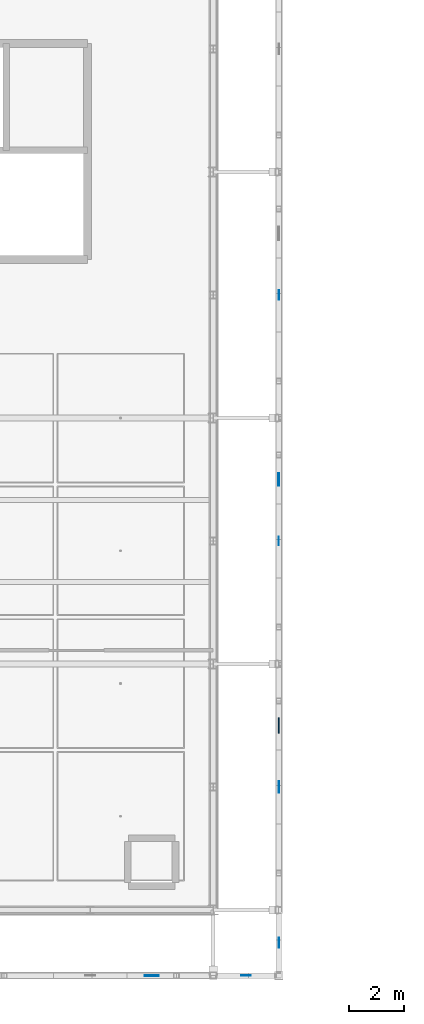
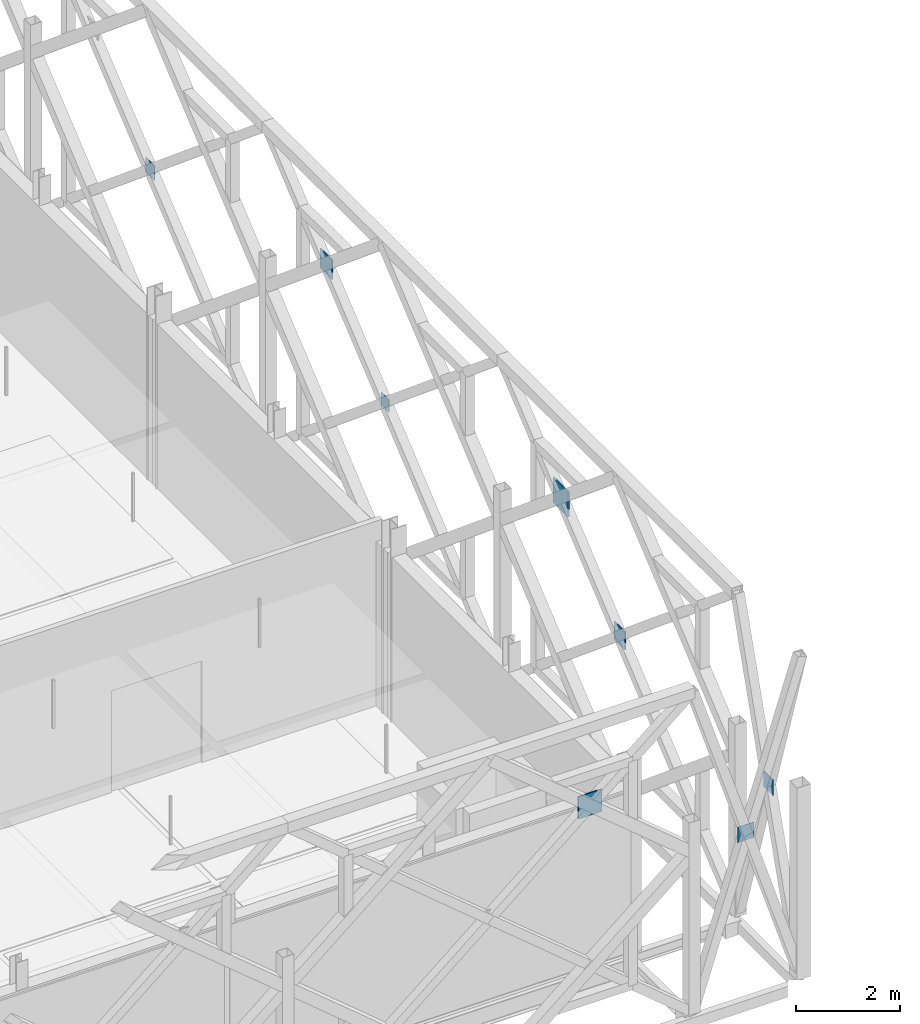
# One storey, part 39 of 66: 8 plates.
"""IFC4 building model written with IfcOpenShell, lengths in metres."""

import ifcopenshell
import ifcopenshell.guid

model = None  # the IFC model being written
_history = None  # IfcOwnerHistory: only IFC2X3 demands one
_inside = {}  # id of a spatial element -> (the spatial element, [elements in it])
_under = {}  # id of a project, library or spatial element -> (it, [spatial elements below it])
_declared = {}  # id of a project -> (the project, [libraries it declares])
_typed = {}  # id of a type object -> (the type object, [elements of that type])
_made_of = {}  # id of a material, layer set ... -> (it, [elements and type objects made of it])


def new_model(schema):
    """Start an empty IFC model of exactly this schema.

    Asked for "IFC4X3", IfcOpenShell would pick the latest addendum, in which some entities
    have other attributes; the version numbers below select the first issue.
    IFC2X3 requires an IfcOwnerHistory on every rooted entity: one is made here for all.
    """
    global model, _history
    if schema == "IFC4X3":
        model = ifcopenshell.file(schema_version=(4, 3, 0, 0))
    else:
        model = ifcopenshell.file(schema=schema)
    _inside.clear()
    _under.clear()
    _declared.clear()
    _typed.clear()
    _made_of.clear()
    _history = None
    if model.schema == "IFC2X3":
        org = make("IfcOrganization", Name="unknown")
        user = make(
            "IfcPersonAndOrganization",
            ThePerson=make("IfcPerson", FamilyName="unknown"),
            TheOrganization=org,
        )
        app = make(
            "IfcApplication",
            ApplicationDeveloper=org,
            Version="unknown",
            ApplicationFullName="unknown",
            ApplicationIdentifier="unknown",
        )
        _history = make(
            "IfcOwnerHistory",
            OwningUser=user,
            OwningApplication=app,
            ChangeAction="ADDED",
            CreationDate=0,
        )
    return model


def make(cls, **values):
    """One entity of the class cls with the attributes given. An attribute that is None is left unset."""
    return model.create_entity(
        cls, **{name: value for name, value in values.items() if value is not None}
    )


def rooted(cls, **values):
    """An entity with a GlobalId (a new one), such as an element, a storey or a relation."""
    return make(cls, GlobalId=ifcopenshell.guid.new(), OwnerHistory=_history, **values)


def si_unit(unit_type, name, prefix=None):
    """IfcSIUnit, for example si_unit("LENGTHUNIT", "METRE", prefix="MILLI")."""
    return make("IfcSIUnit", UnitType=unit_type, Prefix=prefix, Name=name)


def assignment(units):
    """IfcUnitAssignment: the units of a project."""
    return None if units is None else make("IfcUnitAssignment", Units=units)


def point(xyz):
    """IfcCartesianPoint."""
    return None if xyz is None else make("IfcCartesianPoint", Coordinates=xyz)


def direction(xyz):
    """IfcDirection."""
    return None if xyz is None else make("IfcDirection", DirectionRatios=xyz)


def frame(location, z_axis=None, x_axis=None):
    """IfcAxis2Placement3D, a coordinate frame: its origin and axes. An axis left out is left unset."""
    return make(
        "IfcAxis2Placement3D",
        Location=point(location),
        Axis=direction(z_axis),
        RefDirection=direction(x_axis),
    )


def frame_2d(location, x_axis=None):
    """IfcAxis2Placement2D, a coordinate frame in the plane: its origin and x axis."""
    return make(
        "IfcAxis2Placement2D", Location=point(location), RefDirection=direction(x_axis)
    )


def origin():
    """The frame at (0, 0, 0) with its axes left unset."""
    return frame((0.0, 0.0, 0.0))


def origin_2d():
    """The frame at (0, 0) in the plane with its x axis left unset."""
    return frame_2d((0.0, 0.0))


def place(relative_to, where):
    """IfcLocalPlacement: puts the frame where relative to a parent placement (None: the world)."""
    return make(
        "IfcLocalPlacement", PlacementRelTo=relative_to, RelativePlacement=where
    )


def context(
    kind, dimensions, precision=None, world=None, true_north=None, identifier=None
):
    """IfcGeometricRepresentationContext, for example the 3D "Model" context."""
    return make(
        "IfcGeometricRepresentationContext",
        ContextIdentifier=identifier,
        ContextType=kind,
        CoordinateSpaceDimension=dimensions,
        Precision=precision,
        WorldCoordinateSystem=world,
        TrueNorth=true_north,
    )


def subcontext(parent, identifier, kind, view, scale=None):
    """IfcGeometricRepresentationSubContext, for example "Body" below "Model"."""
    return make(
        "IfcGeometricRepresentationSubContext",
        ContextIdentifier=identifier,
        ContextType=kind,
        ParentContext=parent,
        TargetScale=scale,
        TargetView=view,
    )


def project(units=None, contexts=None):
    """IfcProject with its units and contexts."""
    return rooted(
        "IfcProject",
        Name="project",
        RepresentationContexts=contexts,
        UnitsInContext=assignment(units),
    )


def spatial(cls, under=None, at=None, **own):
    """A site, building, storey or space (cls), placed at a placement, below another one or the project."""
    s = rooted(cls, ObjectPlacement=at, **own)
    if under is not None:
        _under.setdefault(under.id(), (under, []))[1].append(s)
    return s


def profile(cls, at=None, kind="AREA", **sizes):
    """A parametric profile (cls). Its sizes go by their IFC names, for example OverallWidth=200.0."""
    return make(cls, ProfileType=kind, Position=at, **sizes)


def rectangle(**sizes):
    """IfcRectangleProfileDef."""
    return profile("IfcRectangleProfileDef", **sizes)


def extrude(swept, where, along, depth):
    """IfcExtrudedAreaSolid: the profile swept, set in the frame where, extruded along a direction by depth."""
    return make(
        "IfcExtrudedAreaSolid",
        SweptArea=swept,
        Position=where,
        ExtrudedDirection=direction(along),
        Depth=depth,
    )


def shape(context_of_items, identifier, shape_type, items):
    """IfcShapeRepresentation: the items that make up one representation, for example the "Body"."""
    return make(
        "IfcShapeRepresentation",
        ContextOfItems=context_of_items,
        RepresentationIdentifier=identifier,
        RepresentationType=shape_type,
        Items=items,
    )


def material(Name=None, Category=None):
    """IfcMaterial."""
    return make("IfcMaterial", Name=Name, Category=Category)


def layer(
    of_material, thickness, ventilated=None, Name=None, Category=None, Priority=None
):
    """IfcMaterialLayer: one layer of a wall or slab, of a material (None: an air gap)."""
    return make(
        "IfcMaterialLayer",
        Material=of_material,
        LayerThickness=thickness,
        IsVentilated=ventilated,
        Name=Name,
        Category=Category,
        Priority=Priority,
    )


def layer_set(layers, Name=None):
    """IfcMaterialLayerSet."""
    return make("IfcMaterialLayerSet", MaterialLayers=layers, LayerSetName=Name)


def made_of(thing, what):
    """Note that an element or type object is made of a material, layer set ...; save() writes the relation."""
    if what is not None:
        _made_of.setdefault(what.id(), (what, []))[1].append(thing)
    return thing


def type_object(cls, material=None, **own):
    """A type object (cls), such as IfcWallType, which elements share."""
    return made_of(rooted(cls, **own), material)


def element(
    cls,
    number,
    at=None,
    inside=None,
    cuts=None,
    type_object=None,
    material=None,
    context=None,
    identifier="Body",
    shape_type=None,
    held_by="IfcProductDefinitionShape",
    body=None,
    shapes=None,
    **own,
):
    """One element of the class cls, such as IfcWall. Its Tag is "e" and its number.

    at: its placement. inside: the storey or other place that contains it. cuts: it is an
    opening in that element (IfcRelVoidsElement). A single representation is given by context,
    identifier, shape_type and body (its items); several are given by shapes. held_by: the class
    of the entity that holds the representations. save() writes the other relations.
    """
    e = rooted(cls, Tag="e%d" % number, ObjectPlacement=at, **own)
    if body is not None:
        shapes = [shape(context, identifier, shape_type, body)]
    if shapes is not None:
        e.Representation = make(held_by, Representations=shapes)
    if inside is not None:
        _inside.setdefault(inside.id(), (inside, []))[1].append(e)
    if cuts is not None:
        rooted(
            "IfcRelVoidsElement", RelatingBuildingElement=cuts, RelatedOpeningElement=e
        )
    if type_object is not None:
        _typed.setdefault(type_object.id(), (type_object, []))[1].append(e)
    return made_of(e, material)


def aggregate(whole, parts):
    """IfcRelAggregates: a whole, such as a stair, and the parts it consists of."""
    return rooted("IfcRelAggregates", RelatingObject=whole, RelatedObjects=parts)


def save(model, path):
    """Write the relations noted so far, then the file.

    IfcRelAggregates (storeys below a building ...), IfcRelContainedInSpatialStructure (elements
    in a storey), IfcRelDefinesByType, IfcRelAssociatesMaterial and IfcRelDeclares: one each for
    every whole, place, type object, material and project.
    """
    for whole, parts in _under.values():
        aggregate(whole, parts)
    for where, things in _inside.values():
        rooted(
            "IfcRelContainedInSpatialStructure",
            RelatedElements=things,
            RelatingStructure=where,
        )
    for kind, things in _typed.values():
        rooted("IfcRelDefinesByType", RelatedObjects=things, RelatingType=kind)
    for what, things in _made_of.values():
        rooted("IfcRelAssociatesMaterial", RelatedObjects=things, RelatingMaterial=what)
    for by, libraries in _declared.values():
        rooted("IfcRelDeclares", RelatingContext=by, RelatedDefinitions=libraries)
    model.write(path)


model = new_model("IFC4")

# Units and contexts
model_context = context("Model", 3, precision=1e-05, world=origin(), true_north=direction((0.0, 1.0)))
body_context = subcontext(model_context, "Body", "Model", "MODEL_VIEW")
ifc_project = project(units=[si_unit("LENGTHUNIT", "METRE"), si_unit("AREAUNIT", "SQUARE_METRE"), si_unit("VOLUMEUNIT", "CUBIC_METRE"), si_unit("PLANEANGLEUNIT", "RADIAN"), si_unit("MASSUNIT", "GRAM", prefix="KILO"), si_unit("THERMODYNAMICTEMPERATUREUNIT", "KELVIN"), si_unit("POWERUNIT", "WATT")], contexts=[model_context])

# Site, building, storey
site_placement = place(None, origin())
site = spatial("IfcSite", under=ifc_project, at=site_placement, CompositionType="ELEMENT")
building_placement = place(site_placement, origin())
building = spatial("IfcBuilding", under=site, at=building_placement, Name="Tallowbark Science Centre", CompositionType="ELEMENT")
storey_placement = place(building_placement, frame((0.0, 0.0, 18.89990234375)))
storey = spatial("IfcBuildingStorey", under=building, at=storey_placement, Name="L04", CompositionType="ELEMENT", Elevation=18.89990234375)

# Plates
ifc_material = material(Name="Structural Steel Grade 300PLUS (300 MPa)", Category="steel")
ifc_layer_1 = layer(ifc_material, 0.010009765625)
ifc_layer_set_1 = layer_set([ifc_layer_1], Name="Structural Steel Grade 300PLUS (300 MPa)")
plate_type_1 = type_object("IfcPlateType", Name="PLT-GUS-10", PredefinedType="SHEET", material=ifc_layer_set_1)
plate_1_placement = place(storey_placement, frame((105.89990234375, 18.0, 3.60009765625), z_axis=(0.0, 0.0, 1.0), x_axis=(0.0, 1.0, 0.0)))
element("IfcPlate", 1, at=plate_1_placement, inside=storey, type_object=plate_type_1, Name="Star X-Brace Crossing Gusset Plate E-49", PredefinedType="SHEET", context=body_context, shape_type="SweptSolid", body=[
    extrude(rectangle(XDim=0.300048828125, YDim=0.010009765625, at=origin_2d()), origin(), (0.0, 0.0, 1.0), 0.300048828125),
])
ifc_layer_2 = layer(ifc_material, 0.013916015625)
ifc_layer_set_2 = layer_set([ifc_layer_2], Name="Structural Steel Grade 300PLUS (300 MPa)")
plate_type_2 = type_object("IfcPlateType", Name="PLT-GUS-14", PredefinedType="SHEET", material=ifc_layer_set_2)
plate_2_placement = place(storey_placement, frame((105.89990234375, 27.0, 3.580078125), z_axis=(0.0, 0.0, 1.0), x_axis=(0.0, 1.0, 0.0)))
element("IfcPlate", 2, at=plate_2_placement, inside=storey, type_object=plate_type_2, Name="Star X-Brace Crossing Gusset Plate E-51", PredefinedType="SHEET", context=body_context, shape_type="SweptSolid", body=[
    extrude(rectangle(XDim=0.340087890625, YDim=0.013916015625, at=origin_2d()), origin(), (0.0, 0.0, 1.0), 0.340087890625),
])
ifc_layer_3 = layer(ifc_material, 0.01611328125)
ifc_layer_set_3 = layer_set([ifc_layer_3], Name="Structural Steel Grade 300PLUS (300 MPa)")
plate_type_3 = type_object("IfcPlateType", Name="PLT-GUS-16", PredefinedType="SHEET", material=ifc_layer_set_3)
for number, where, z_axis, x_axis, name in (
    (3, (104.699951171875, 2.10009765625, 3.56982421875), (0.0, 0.0, 1.0), (1.0, 0.0, 0.0), "Star Screen Corner X-Brace Gusset SEX-L04"),
    (4, (105.89990234375, 3.300048828125, 3.56982421875), (0.0, 0.0, 1.0), (0.0, 1.0, 0.0), "Star Screen Corner X-Brace Gusset SEY-L04"),
):
    element("IfcPlate", number, at=place(storey_placement, frame(where, z_axis=z_axis, x_axis=x_axis)), inside=storey, type_object=plate_type_3, Name=name, PredefinedType="SHEET", context=body_context, shape_type="SweptSolid", body=[
        extrude(rectangle(XDim=0.360107421875, YDim=0.01611328125, at=origin_2d()), origin(), (0.0, 0.0, 1.0), 0.360107421875),
    ])
ifc_layer_4 = layer(ifc_material, 0.02197265625)
ifc_layer_set_4 = layer_set([ifc_layer_4], Name="Structural Steel Grade 300PLUS (300 MPa)")
plate_type_4 = type_object("IfcPlateType", Name="PLT-GUS-22", PredefinedType="SHEET", material=ifc_layer_set_4)
plate_3_placement = place(storey_placement, frame((105.89990234375, 9.0, 3.5400390625), z_axis=(0.0, 0.0, 1.0), x_axis=(0.0, 1.0, 0.0)))
element("IfcPlate", 5, at=plate_3_placement, inside=storey, type_object=plate_type_4, Name="Star X-Brace Crossing Gusset Plate E-47", PredefinedType="SHEET", context=body_context, shape_type="SweptSolid", body=[
    extrude(rectangle(XDim=0.419921875, YDim=0.02197265625, at=origin_2d()), origin(), (0.0, 0.0, 1.0), 0.419921875),
])
ifc_layer_5 = layer(ifc_material, 0.02587890625)
ifc_layer_set_5 = layer_set([ifc_layer_5], Name="Structural Steel Grade 300PLUS (300 MPa)")
plate_type_5 = type_object("IfcPlateType", Name="PLT-GUS-26", PredefinedType="SHEET", material=ifc_layer_set_5)
plate_4_placement = place(storey_placement, frame((105.89990234375, 20.25, 5.39501953125), z_axis=(0.0, 0.0, 1.0), x_axis=(0.0, 1.0, 0.0)))
element("IfcPlate", 6, at=plate_4_placement, inside=storey, type_object=plate_type_5, Name="Star Primary Chord Crossing Gusset Plate E-49", PredefinedType="SHEET", context=body_context, shape_type="SweptSolid", body=[
    extrude(rectangle(XDim=0.4599609375, YDim=0.02587890625, at=origin_2d()), origin(), (0.0, 0.0, 1.0), 0.4599609375),
])
ifc_layer_6 = layer(ifc_material, 0.031982421875)
ifc_layer_set_6 = layer_set([ifc_layer_6], Name="Structural Steel Grade 300PLUS (300 MPa)")
plate_type_6 = type_object("IfcPlateType", Name="PLT-GUS-32", PredefinedType="SHEET", material=ifc_layer_set_6)
plate_5_placement = place(storey_placement, frame((101.25, 2.10009765625, 5.364990234375), z_axis=(0.0, 0.0, 1.0), x_axis=(1.0, 0.0, 0.0)))
element("IfcPlate", 7, at=plate_5_placement, inside=storey, type_object=plate_type_6, Name="Star Primary Chord Crossing Gusset Plate S-44", PredefinedType="SHEET", context=body_context, shape_type="SweptSolid", body=[
    extrude(rectangle(XDim=0.52001953125, YDim=0.031982421875, at=origin_2d()), origin(), (0.0, 0.0, 1.0), 0.52001953125),
])
ifc_layer_7 = layer(ifc_material, 0.0380859375)
ifc_layer_set_7 = layer_set([ifc_layer_7], Name="Structural Steel Grade 300PLUS (300 MPa)")
plate_type_7 = type_object("IfcPlateType", Name="PLT-GUS-38", PredefinedType="SHEET", material=ifc_layer_set_7)
plate_6_placement = place(storey_placement, frame((105.89990234375, 11.25, 5.3349609375), z_axis=(0.0, 0.0, 1.0), x_axis=(0.0, 1.0, 0.0)))
element("IfcPlate", 8, at=plate_6_placement, inside=storey, type_object=plate_type_7, Name="Star Primary Chord Crossing Gusset Plate E-47", PredefinedType="SHEET", context=body_context, shape_type="SweptSolid", body=[
    extrude(rectangle(XDim=0.580078125, YDim=0.0380859375, at=origin_2d()), origin(), (0.0, 0.0, 1.0), 0.580078125),
])

save(model, "model.ifc")
